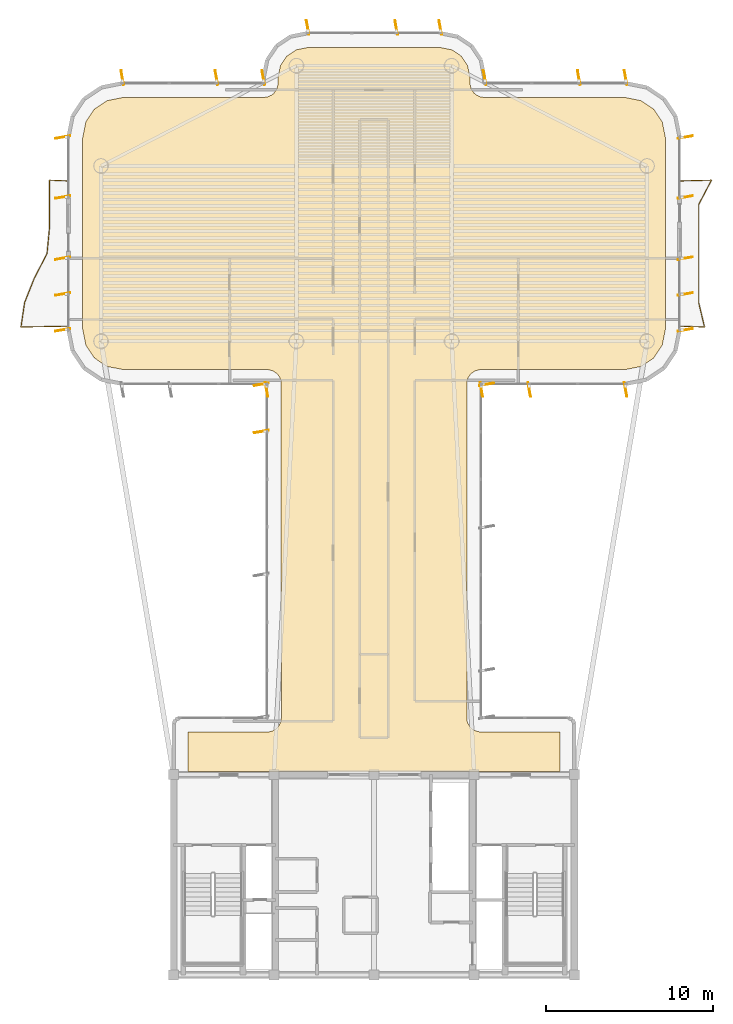
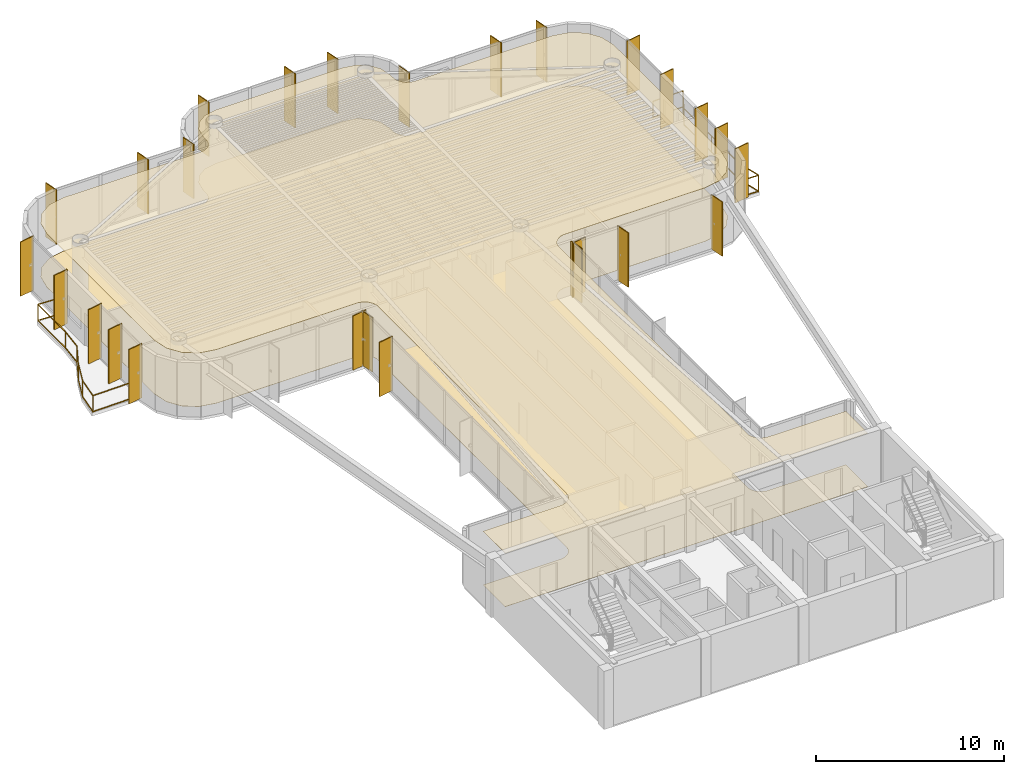
# One storey, part 15 of 15: 26 shading devices, 2 coverings, 2 railings.
"""IFC4 building model written with IfcOpenShell, lengths in metres."""

from ifc_helpers import new_model, si_unit, direction, frame, origin, origin_2d, place, context, subcontext, project, spatial, polyline, rectangle, outline, extrude, source, transform, mapped, material, layer, layer_set, material_profile, profile_set, type_object, element, save


model = new_model("IFC4")

# Units and contexts
model_context = context("Model", 3, precision=1e-05, world=origin(), true_north=direction((0.0, 1.0)))
body_context = subcontext(model_context, "Body", "Model", "MODEL_VIEW")
ifc_project = project(units=[si_unit("LENGTHUNIT", "METRE"), si_unit("AREAUNIT", "SQUARE_METRE"), si_unit("VOLUMEUNIT", "CUBIC_METRE"), si_unit("PLANEANGLEUNIT", "RADIAN"), si_unit("MASSUNIT", "GRAM", prefix="KILO")], contexts=[model_context])

# Site, building, storey
site_placement = place(None, origin())
site = spatial("IfcSite", under=ifc_project, at=site_placement, CompositionType="ELEMENT")
building_placement = place(site_placement, origin())
building = spatial("IfcBuilding", under=site, at=building_placement, Name="Brelvock Crest Care Tower", CompositionType="ELEMENT")
storey_placement = place(building_placement, frame((0.0, 0.0, 241.919921875)))
storey = spatial("IfcBuildingStorey", under=building, at=storey_placement, Name="L61", CompositionType="ELEMENT", Elevation=241.919921875)

# Coverings
ifc_material_1 = material(Name="Mineral Fibre Acoustic Ceiling Tile", Category="gypsum")
ifc_layer_1 = layer(ifc_material_1, 0.02490234375, Name="COV-CLG1")
ifc_layer_set_1 = layer_set([ifc_layer_1], Name="Mineral Fibre Acoustic Ceiling Tile")
covering_type_1 = type_object("IfcCoveringType", Name="COV-CLG1", PredefinedType="CEILING", material=ifc_layer_set_1)
covering_1_placement = place(storey_placement, frame((0.0, 0.0, 3.47509765625)))
element("IfcCovering", 1, at=covering_1_placement, inside=storey, type_object=covering_type_1, Name="L61 Acoustic Suspended Ceiling 1", PredefinedType="CEILING", context=body_context, shape_type="SweptSolid", body=[
    extrude(outline(polyline([(24.85009765625, 18.199951171875), (47.14990234375, 18.199951171875), (47.14990234375, 20.550048828125), (42.316650390625, 20.55419921875), (41.999267578125, 20.650390625), (41.799072265625, 20.799072265625), (41.650390625, 20.999267578125), (41.56640625, 21.234130859375), (41.55419921875, 41.4833984375), (41.61474609375, 41.725341796875), (41.799072265625, 42.0009765625), (42.07470703125, 42.185302734375), (42.316650390625, 42.245849609375), (51.016357421875, 42.25), (51.992919921875, 42.4443359375), (52.75, 42.9501953125), (53.255615234375, 43.70703125), (53.449951171875, 44.68359375), (53.449951171875, 56.1162109375), (53.255615234375, 57.093017578125), (52.75, 57.849853515625), (51.992919921875, 58.355712890625), (51.016357421875, 58.550048828125), (42.60009765625, 58.550048828125), (42.353271484375, 58.586669921875), (42.127685546875, 58.693359375), (41.9990234375, 58.799072265625), (41.814697265625, 59.07470703125), (41.754150390625, 59.316650390625), (41.75, 59.71630859375), (41.601318359375, 60.46337890625), (41.2255859375, 61.025634765625), (40.663330078125, 61.4013671875), (39.916259765625, 61.550048828125), (32.083740234375, 61.550048828125), (31.336669921875, 61.4013671875), (30.7744140625, 61.025634765625), (30.398681640625, 60.46337890625), (30.25, 59.71630859375), (30.245849609375, 59.316650390625), (30.185302734375, 59.07470703125), (30.0009765625, 58.799072265625), (29.872314453125, 58.693359375), (29.646728515625, 58.586669921875), (29.39990234375, 58.550048828125), (20.983642578125, 58.550048828125), (20.007080078125, 58.355712890625), (19.25, 57.849853515625), (18.744384765625, 57.093017578125), (18.550048828125, 56.1162109375), (18.550048828125, 44.68359375), (18.744384765625, 43.70703125), (19.25, 42.9501953125), (20.007080078125, 42.4443359375), (20.983642578125, 42.25), (29.683349609375, 42.245849609375), (29.92529296875, 42.185302734375), (30.200927734375, 42.0009765625), (30.349609375, 41.80078125), (30.43359375, 41.56591796875), (30.449951171875, 21.39990234375), (30.413330078125, 21.1533203125), (30.306640625, 20.927734375), (30.13916015625, 20.742919921875), (29.92529296875, 20.61474609375), (29.683349609375, 20.55419921875), (24.85009765625, 20.550048828125), (24.85009765625, 18.199951171875)])), origin(), (0.0, 0.0, 1.0), 0.02490234375),
])
ifc_material_2 = material(Name="Slip-Resistant Acoustic Vinyl Flooring", Category="finish")
ifc_layer_2 = layer(ifc_material_2, 0.014892578125, Name="COV-FLR1")
ifc_layer_set_2 = layer_set([ifc_layer_2], Name="Slip-Resistant Acoustic Vinyl Flooring")
covering_type_2 = type_object("IfcCoveringType", Name="COV-FLR1", PredefinedType="FLOORING", material=ifc_layer_set_2)
covering_2_placement = place(storey_placement, origin())
element("IfcCovering", 2, at=covering_2_placement, inside=storey, type_object=covering_type_2, Name="L61 Slip-Resistant Acoustic Flooring 1", PredefinedType="FLOORING", context=body_context, shape_type="SweptSolid", body=[
    extrude(outline(polyline([(24.85009765625, 18.199951171875), (47.14990234375, 18.199951171875), (47.14990234375, 20.550048828125), (42.316650390625, 20.55419921875), (41.999267578125, 20.650390625), (41.799072265625, 20.799072265625), (41.650390625, 20.999267578125), (41.56640625, 21.234130859375), (41.55419921875, 41.4833984375), (41.61474609375, 41.725341796875), (41.799072265625, 42.0009765625), (42.07470703125, 42.185302734375), (42.316650390625, 42.245849609375), (51.016357421875, 42.25), (51.992919921875, 42.4443359375), (52.75, 42.9501953125), (53.255615234375, 43.70703125), (53.449951171875, 44.68359375), (53.449951171875, 56.1162109375), (53.255615234375, 57.093017578125), (52.75, 57.849853515625), (51.992919921875, 58.355712890625), (51.016357421875, 58.550048828125), (42.60009765625, 58.550048828125), (42.353271484375, 58.586669921875), (42.127685546875, 58.693359375), (41.9990234375, 58.799072265625), (41.814697265625, 59.07470703125), (41.754150390625, 59.316650390625), (41.75, 59.71630859375), (41.601318359375, 60.46337890625), (41.2255859375, 61.025634765625), (40.663330078125, 61.4013671875), (39.916259765625, 61.550048828125), (32.083740234375, 61.550048828125), (31.336669921875, 61.4013671875), (30.7744140625, 61.025634765625), (30.398681640625, 60.46337890625), (30.25, 59.71630859375), (30.245849609375, 59.316650390625), (30.185302734375, 59.07470703125), (30.0009765625, 58.799072265625), (29.872314453125, 58.693359375), (29.646728515625, 58.586669921875), (29.39990234375, 58.550048828125), (20.983642578125, 58.550048828125), (20.007080078125, 58.355712890625), (19.25, 57.849853515625), (18.744384765625, 57.093017578125), (18.550048828125, 56.1162109375), (18.550048828125, 44.68359375), (18.744384765625, 43.70703125), (19.25, 42.9501953125), (20.007080078125, 42.4443359375), (20.983642578125, 42.25), (29.683349609375, 42.245849609375), (29.92529296875, 42.185302734375), (30.200927734375, 42.0009765625), (30.349609375, 41.80078125), (30.43359375, 41.56591796875), (30.449951171875, 21.39990234375), (30.413330078125, 21.1533203125), (30.306640625, 20.927734375), (30.13916015625, 20.742919921875), (29.92529296875, 20.61474609375), (29.683349609375, 20.55419921875), (24.85009765625, 20.550048828125), (24.85009765625, 18.199951171875)])), origin(), (0.0, 0.0, 1.0), 0.01513671875),
])

# Railings
ifc_material_3 = material(Name="Dark Glass Double Glazed Low-E", Category="glass")
ifc_layer_3 = layer(ifc_material_3, 0.06005859375, Name="RL-BAL1")
ifc_layer_set_3 = layer_set([ifc_layer_3], Name="Dark Glass Double Glazed Low-E")
railing_type = type_object("IfcRailingType", Name="RL-BAL1", PredefinedType="BALUSTRADE", material=ifc_layer_set_3)
railing_1_placement = place(storey_placement, frame((17.659912109375, 44.85009765625, 0.004150390625)))
element("IfcRailing", 3, at=railing_1_placement, inside=storey, type_object=railing_type, Name="L61 Safety Balustrade WB-W", PredefinedType="BALUSTRADE", context=body_context, shape_type="SweptSolid", body=[
    extrude(rectangle(XDim=0.048095703125, YDim=0.048095703125, at=origin_2d()), frame((-0.001953125, 0.0, 1.09619140625), z_axis=(-0.99984026566, -0.017872973008, 0.0), x_axis=(0.017872973008, -0.99984026566, 0.0)), (0.0, 0.0, 1.0), 2.796142578125),
    extrude(rectangle(XDim=0.048095703125, YDim=0.048095703125, at=origin_2d()), frame((-0.001953125, 0.0, 0.054931640625), z_axis=(-0.99984026566, -0.017872973008, 0.0), x_axis=(0.017872973008, -0.99984026566, 0.0)), (0.0, 0.0, 1.0), 2.796142578125),
    extrude(rectangle(XDim=0.048095703125, YDim=0.048095703125, at=origin_2d()), frame((-2.799560546875, -0.048095703125, 1.09619140625), z_axis=(0.146882849114, 0.989153895325, 0.0), x_axis=(-0.989153895325, 0.146882849114, 0.0)), (0.0, 0.0, 1.0), 1.478515625),
    extrude(rectangle(XDim=0.048095703125, YDim=0.048095703125, at=origin_2d()), frame((-2.799560546875, -0.048095703125, 0.054931640625), z_axis=(0.146882849114, 0.989153895325, 0.0), x_axis=(-0.989153895325, 0.146882849114, 0.0)), (0.0, 0.0, 1.0), 1.478515625),
    extrude(rectangle(XDim=0.048095703125, YDim=0.048095703125, at=origin_2d()), frame((-2.581298828125, 1.41845703125, 1.09619140625), z_axis=(0.36936302047, 0.929285187179, 0.0), x_axis=(-0.929285187179, 0.36936302047, 0.0)), (0.0, 0.0, 1.0), 1.574462890625),
    extrude(rectangle(XDim=0.048095703125, YDim=0.048095703125, at=origin_2d()), frame((-2.581298828125, 1.41845703125, 0.054931640625), z_axis=(0.36936302047, 0.929285187179, 0.0), x_axis=(-0.929285187179, 0.36936302047, 0.0)), (0.0, 0.0, 1.0), 1.574462890625),
    extrude(rectangle(XDim=0.048095703125, YDim=0.048095703125, at=origin_2d()), frame((-1.998046875, 2.885009765625, 1.09619140625), z_axis=(0.460230882472, 0.887799264935, 0.0), x_axis=(-0.887799264935, 0.460230882472, 0.0)), (0.0, 0.0, 1.0), 1.64794921875),
    extrude(rectangle(XDim=0.048095703125, YDim=0.048095703125, at=origin_2d()), frame((-1.998046875, 2.885009765625, 0.054931640625), z_axis=(0.460230882472, 0.887799264935, 0.0), x_axis=(-0.887799264935, 0.460230882472, 0.0)), (0.0, 0.0, 1.0), 1.64794921875),
    extrude(rectangle(XDim=0.048095703125, YDim=0.048095703125, at=origin_2d()), frame((-1.238525390625, 4.351806640625, 1.09619140625), z_axis=(0.094285159279, 0.99554523189, 0.0), x_axis=(-0.99554523189, 0.094285159279, 0.0)), (0.0, 0.0, 1.0), 1.469482421875),
    extrude(rectangle(XDim=0.048095703125, YDim=0.048095703125, at=origin_2d()), frame((-1.238525390625, 4.351806640625, 0.054931640625), z_axis=(0.094285159279, 0.99554523189, 0.0), x_axis=(-0.99554523189, 0.094285159279, 0.0)), (0.0, 0.0, 1.0), 1.469482421875),
    extrude(rectangle(XDim=0.048095703125, YDim=0.048095703125, at=origin_2d()), frame((-1.099853515625, 5.818603515625, 1.09619140625), z_axis=(0.0, 1.0, 0.0), x_axis=(-1.0, 0.0, 0.0)), (0.0, 0.0, 1.0), 2.929443359375),
    extrude(rectangle(XDim=0.048095703125, YDim=0.048095703125, at=origin_2d()), frame((-1.099853515625, 5.818603515625, 0.054931640625), z_axis=(0.0, 1.0, 0.0), x_axis=(-1.0, 0.0, 0.0)), (0.0, 0.0, 1.0), 2.929443359375),
    extrude(rectangle(XDim=0.048095703125, YDim=0.048095703125, at=origin_2d()), frame((-1.097900390625, 8.75, 1.09619140625), z_axis=(0.998966252902, -0.045457953795, 0.0), x_axis=(0.045457953795, 0.998966252902, 0.0)), (0.0, 0.0, 1.0), 1.096923828125),
    extrude(rectangle(XDim=0.048095703125, YDim=0.048095703125, at=origin_2d()), frame((-1.097900390625, 8.75, 0.054931640625), z_axis=(0.998966252902, -0.045457953795, 0.0), x_axis=(0.045457953795, 0.998966252902, 0.0)), (0.0, 0.0, 1.0), 1.096923828125),
    extrude(rectangle(XDim=0.0419921875, YDim=0.0419921875, at=origin_2d()), origin(), (0.0, 0.0, 1.0), 1.070068359375),
    extrude(rectangle(XDim=0.0419921875, YDim=0.0419921875, at=origin_2d()), frame((-2.7998046875, -0.050048828125, 0.0)), (0.0, 0.0, 1.0), 1.070068359375),
    extrude(rectangle(XDim=0.0419921875, YDim=0.0419921875, at=origin_2d()), frame((-2.58203125, 1.41650390625, 0.0)), (0.0, 0.0, 1.0), 1.070068359375),
    extrude(rectangle(XDim=0.0419921875, YDim=0.0419921875, at=origin_2d()), frame((-1.9990234375, 2.88330078125, 0.0)), (0.0, 0.0, 1.0), 1.070068359375),
    extrude(rectangle(XDim=0.0419921875, YDim=0.0419921875, at=origin_2d()), frame((-1.23876953125, 4.349853515625, 0.0)), (0.0, 0.0, 1.0), 1.070068359375),
    extrude(rectangle(XDim=0.0419921875, YDim=0.0419921875, at=origin_2d()), frame((-1.099853515625, 5.816650390625, 0.0)), (0.0, 0.0, 1.0), 1.070068359375),
    extrude(rectangle(XDim=0.0419921875, YDim=0.0419921875, at=origin_2d()), frame((-1.099853515625, 8.75, 0.0)), (0.0, 0.0, 1.0), 1.070068359375),
    extrude(rectangle(XDim=0.0419921875, YDim=0.0419921875, at=origin_2d()), frame((0.0, 8.699951171875, 0.0)), (0.0, 0.0, 1.0), 1.070068359375),
])
railing_2_placement = place(storey_placement, frame((54.340087890625, 44.85009765625, 0.004150390625)))
element("IfcRailing", 4, at=railing_2_placement, inside=storey, type_object=railing_type, Name="L61 Safety Balustrade WB-E", PredefinedType="BALUSTRADE", context=body_context, shape_type="SweptSolid", body=[
    extrude(rectangle(XDim=0.048095703125, YDim=0.048095703125, at=origin_2d()), frame((0.001953125, 0.0, 1.09619140625), z_axis=(0.999404799616, -0.034497050669, 0.0), x_axis=(0.034497050669, 0.999404799616, 0.0)), (0.0, 0.0, 1.0), 1.44677734375),
    extrude(rectangle(XDim=0.048095703125, YDim=0.048095703125, at=origin_2d()), frame((0.001953125, 0.0, 0.054931640625), z_axis=(0.999404799616, -0.034497050669, 0.0), x_axis=(0.034497050669, 0.999404799616, 0.0)), (0.0, 0.0, 1.0), 1.44677734375),
    extrude(rectangle(XDim=0.048095703125, YDim=0.048095703125, at=origin_2d()), frame((1.449462890625, -0.048095703125, 1.09619140625), z_axis=(-0.232196944837, 0.972668791937, 0.0), x_axis=(-0.972668791937, -0.232196944837, 0.0)), (0.0, 0.0, 1.0), 1.503662109375),
    extrude(rectangle(XDim=0.048095703125, YDim=0.048095703125, at=origin_2d()), frame((1.449462890625, -0.048095703125, 0.054931640625), z_axis=(-0.232196944837, 0.972668791937, 0.0), x_axis=(-0.972668791937, -0.232196944837, 0.0)), (0.0, 0.0, 1.0), 1.503662109375),
    extrude(rectangle(XDim=0.048095703125, YDim=0.048095703125, at=origin_2d()), frame((1.099853515625, 1.41845703125, 1.09619140625), z_axis=(0.000124843944, 0.999999992207, 0.0), x_axis=(-0.999999992207, 0.000124843944, 0.0)), (0.0, 0.0, 1.0), 5.86279296875),
    extrude(rectangle(XDim=0.048095703125, YDim=0.048095703125, at=origin_2d()), frame((1.099853515625, 1.41845703125, 0.054931640625), z_axis=(0.000124843944, 0.999999992207, 0.0), x_axis=(-0.999999992207, 0.000124843944, 0.0)), (0.0, 0.0, 1.0), 5.86279296875),
    extrude(rectangle(XDim=0.048095703125, YDim=0.048095703125, at=origin_2d()), frame((1.1015625, 7.284912109375, 1.09619140625), z_axis=(0.463191013929, 0.88625847506, 0.0), x_axis=(-0.88625847506, 0.463191013929, 0.0)), (0.0, 0.0, 1.0), 1.651123046875),
    extrude(rectangle(XDim=0.048095703125, YDim=0.048095703125, at=origin_2d()), frame((1.1015625, 7.284912109375, 0.054931640625), z_axis=(0.463191013929, 0.88625847506, 0.0), x_axis=(-0.88625847506, 0.463191013929, 0.0)), (0.0, 0.0, 1.0), 1.651123046875),
    extrude(rectangle(XDim=0.048095703125, YDim=0.048095703125, at=origin_2d()), frame((1.865234375, 8.75, 1.09619140625), z_axis=(-0.999640955712, -0.026794769341, 0.0), x_axis=(0.026794769341, -0.999640955712, 0.0)), (0.0, 0.0, 1.0), 1.86376953125),
    extrude(rectangle(XDim=0.048095703125, YDim=0.048095703125, at=origin_2d()), frame((1.865234375, 8.75, 0.054931640625), z_axis=(-0.999640955712, -0.026794769341, 0.0), x_axis=(0.026794769341, -0.999640955712, 0.0)), (0.0, 0.0, 1.0), 1.86376953125),
    extrude(rectangle(XDim=0.0419921875, YDim=0.0419921875, at=origin_2d()), origin(), (0.0, 0.0, 1.0), 1.070068359375),
    extrude(rectangle(XDim=0.0419921875, YDim=0.0419921875, at=origin_2d()), frame((1.449951171875, -0.050048828125, 0.0)), (0.0, 0.0, 1.0), 1.070068359375),
    extrude(rectangle(XDim=0.0419921875, YDim=0.0419921875, at=origin_2d()), frame((1.099853515625, 1.41650390625, 0.0)), (0.0, 0.0, 1.0), 1.070068359375),
    extrude(rectangle(XDim=0.0419921875, YDim=0.0419921875, at=origin_2d()), frame((1.10009765625, 4.349853515625, 0.0)), (0.0, 0.0, 1.0), 1.070068359375),
    extrude(rectangle(XDim=0.0419921875, YDim=0.0419921875, at=origin_2d()), frame((1.1005859375, 7.283203125, 0.0)), (0.0, 0.0, 1.0), 1.070068359375),
    extrude(rectangle(XDim=0.0419921875, YDim=0.0419921875, at=origin_2d()), frame((1.8671875, 8.75, 0.0)), (0.0, 0.0, 1.0), 1.070068359375),
    extrude(rectangle(XDim=0.0419921875, YDim=0.0419921875, at=origin_2d()), frame((0.0, 8.699951171875, 0.0)), (0.0, 0.0, 1.0), 1.070068359375),
])

# Shading devices
ifc_material_4 = material(Name="Aluminium 6063-T6", Category="aluminium")
ifc_material_profile = material_profile(ifc_material_4, rectangle(XDim=0.054931640625, YDim=0.89990234375, at=origin_2d()), Name="FIN55x900")
ifc_profile_set = profile_set([ifc_material_profile], Name="Aluminium 6063-T6")
shading_device_type = type_object("IfcShadingDeviceType", Name="SHD-FIN1", PredefinedType="USERDEFINED", material=ifc_profile_set)
shared_shape = source(origin(), body_context, "Body", "SweptSolid", [
    extrude(rectangle(XDim=0.054931640625, YDim=0.89990234375, at=origin_2d()), origin(), (0.0, 0.0, 1.0), 3.530029296875),
])
for number, where, z_axis, x_axis, name in (
    (5, (29.260009765625, 38.54296875, 0.0), (0.0, 0.0, 1.0), (-0.173648177667, 0.984807753012, 0.0), "L61 Vertical Sunshade Fin E11-07"),
    (6, (29.260009765625, 41.3701171875, 0.0), (0.0, 0.0, 1.0), (-0.173648177667, 0.984807753012, 0.0), "L61 Vertical Sunshade Fin E11-08"),
    (7, (29.570068359375, 41.06005859375, 0.0), (0.0, 0.0, 1.0), (-0.984807753012, -0.173648177667, 0.0), "L61 Vertical Sunshade Fin E12-01"),
    (8, (17.360107421875, 44.6298828125, 0.0), (0.0, 0.0, 1.0), (-0.173648177667, 0.984807753012, 0.0), "L61 Vertical Sunshade Fin E17A-01"),
    (9, (17.360107421875, 46.77490234375, 0.0), (0.0, 0.0, 1.0), (-0.173648177667, 0.984807753012, 0.0), "L61 Vertical Sunshade Fin E17A-02"),
    (10, (17.360107421875, 48.919921875, 0.0), (0.0, 0.0, 1.0), (-0.173648177667, 0.984807753012, 0.0), "L61 Vertical Sunshade Fin E17A-03"),
    (11, (17.360107421875, 52.580078125, 0.0), (0.0, 0.0, 1.0), (-0.173648177667, 0.984807753012, 0.0), "L61 Vertical Sunshade Fin E17B-01"),
    (12, (17.360107421875, 56.169921875, 0.0), (0.0, 0.0, 1.0), (-0.173648177667, 0.984807753012, 0.0), "L61 Vertical Sunshade Fin E17B-02"),
    (13, (20.929931640625, 59.739990234375, 0.0), (0.0, 0.0, 1.0), (0.984807753012, 0.173648177667, 0.0), "L61 Vertical Sunshade Fin E22-01"),
    (14, (26.566650390625, 59.739990234375, 0.0), (0.0, 0.0, 1.0), (0.984807753012, 0.173648177667, 0.0), "L61 Vertical Sunshade Fin E22-03"),
    (15, (29.3701171875, 59.739990234375, 0.0), (0.0, 0.0, 1.0), (0.984807753012, 0.173648177667, 0.0), "L61 Vertical Sunshade Fin E22-04"),
    (16, (32.030029296875, 62.739990234375, 0.0), (0.0, 0.0, 1.0), (0.984807753012, 0.173648177667, 0.0), "L61 Vertical Sunshade Fin E28-01"),
    (17, (37.333251953125, 62.739990234375, 0.0), (0.0, 0.0, 1.0), (0.984807753012, 0.173648177667, 0.0), "L61 Vertical Sunshade Fin E28-03"),
    (18, (39.969970703125, 62.739990234375, 0.0), (0.0, 0.0, 1.0), (0.984807753012, 0.173648177667, 0.0), "L61 Vertical Sunshade Fin E28-04"),
    (19, (42.6298828125, 59.739990234375, 0.0), (0.0, 0.0, 1.0), (0.984807753012, 0.173648177667, 0.0), "L61 Vertical Sunshade Fin E34-01"),
    (20, (48.2666015625, 59.739990234375, 0.0), (0.0, 0.0, 1.0), (0.984807753012, 0.173648177667, 0.0), "L61 Vertical Sunshade Fin E34-03"),
    (21, (51.070068359375, 59.739990234375, 0.0), (0.0, 0.0, 1.0), (0.984807753012, 0.173648177667, 0.0), "L61 Vertical Sunshade Fin E34-04"),
    (22, (54.639892578125, 56.169921875, 0.0), (0.0, 0.0, 1.0), (0.173648177667, -0.984807753012, 0.0), "L61 Vertical Sunshade Fin E39A-01"),
    (23, (54.639892578125, 52.580078125, 0.0), (0.0, 0.0, 1.0), (0.173648177667, -0.984807753012, 0.0), "L61 Vertical Sunshade Fin E39A-02"),
    (24, (54.639892578125, 48.919921875, 0.0), (0.0, 0.0, 1.0), (0.173648177667, -0.984807753012, 0.0), "L61 Vertical Sunshade Fin E39B-01"),
    (25, (54.639892578125, 46.77490234375, 0.0), (0.0, 0.0, 1.0), (0.173648177667, -0.984807753012, 0.0), "L61 Vertical Sunshade Fin E39B-02"),
    (26, (54.639892578125, 44.6298828125, 0.0), (0.0, 0.0, 1.0), (0.173648177667, -0.984807753012, 0.0), "L61 Vertical Sunshade Fin E39B-03"),
    (27, (51.070068359375, 41.06005859375, 0.0), (0.0, 0.0, 1.0), (-0.984807753012, -0.173648177667, 0.0), "L61 Vertical Sunshade Fin E44-01"),
    (28, (45.300048828125, 41.06005859375, 0.0), (0.0, 0.0, 1.0), (-0.984807753012, -0.173648177667, 0.0), "L61 Vertical Sunshade Fin E44-03"),
    (29, (42.429931640625, 41.06005859375, 0.0), (0.0, 0.0, 1.0), (-0.984807753012, -0.173648177667, 0.0), "L61 Vertical Sunshade Fin E44-04"),
    (30, (42.739990234375, 41.3701171875, 0.0), (0.0, 0.0, 1.0), (0.173648177667, -0.984807753012, 0.0), "L61 Vertical Sunshade Fin E45-01"),
):
    element("IfcShadingDevice", number, at=place(storey_placement, frame(where, z_axis=z_axis, x_axis=x_axis)), inside=storey, type_object=shading_device_type, Name=name, ObjectType="FIN", PredefinedType="USERDEFINED", context=body_context, shape_type="MappedRepresentation", body=[
        mapped(shared_shape, transform((0.0, 0.0, 0.0), x_axis=(1.0, 0.0, 0.0), y_axis=(0.0, 1.0, 0.0), z_axis=(0.0, 0.0, 1.0), scale=1.0)),
    ])

save(model, "model.ifc")
